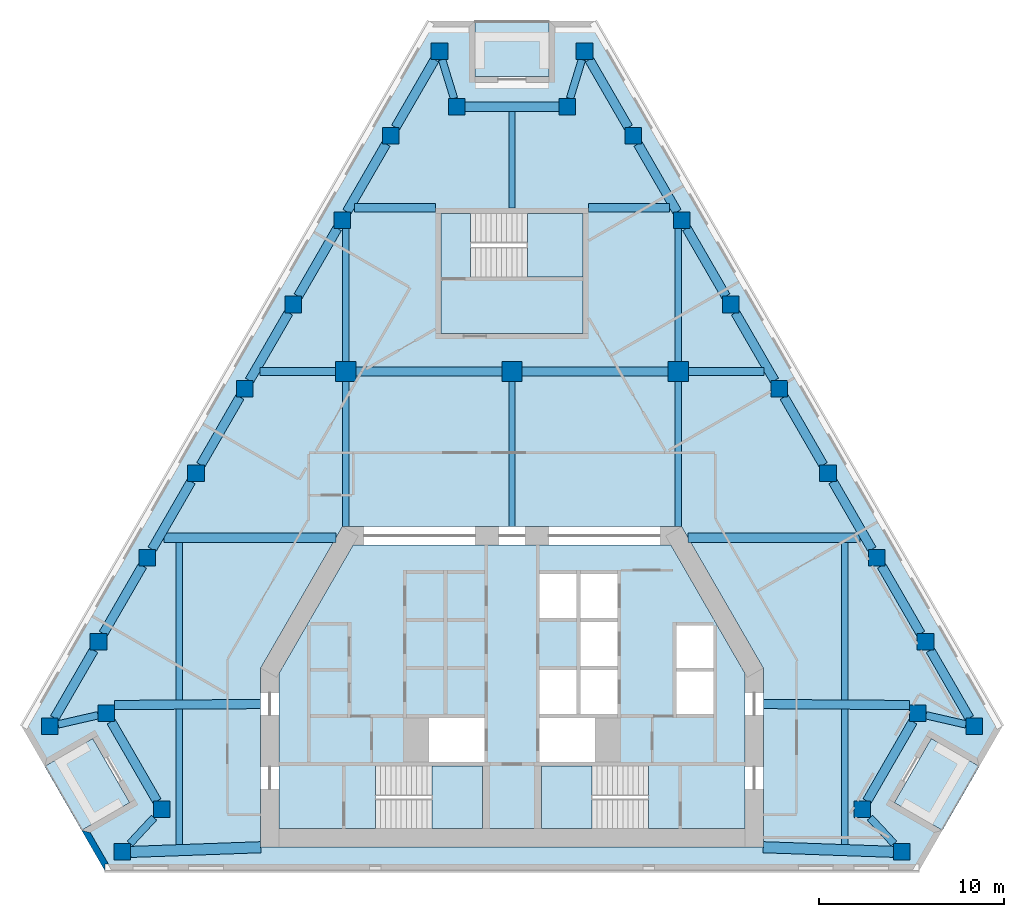
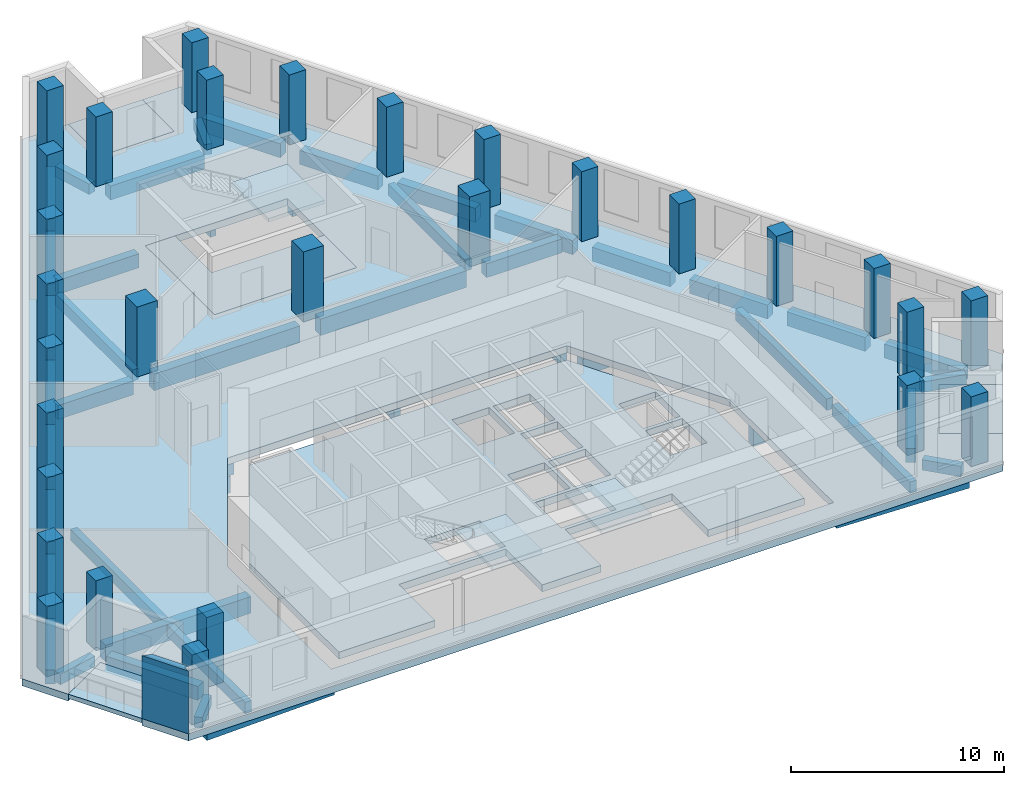
# One storey, part 1 of 8: 47 beams, 29 columns, 9 slabs, 1 wall, 3 elements without a shape of their own.
"""IFC4 building model written with IfcOpenShell, lengths in metres."""

from ifc_helpers import new_model, si_unit, direction, frame, origin, origin_2d, place, context, subcontext, project, spatial, polyline, rectangle, outline, extrude, material, layer, layer_set, material_profile, profile_set, type_object, element, aggregate, save


model = new_model("IFC4")

# Units and contexts
model_context = context("Model", 3, precision=1e-05, world=origin(), true_north=direction((0.0, 1.0)))
body_context = subcontext(model_context, "Body", "Model", "MODEL_VIEW")
ifc_project = project(units=[si_unit("LENGTHUNIT", "METRE"), si_unit("AREAUNIT", "SQUARE_METRE"), si_unit("VOLUMEUNIT", "CUBIC_METRE"), si_unit("PLANEANGLEUNIT", "RADIAN"), si_unit("MASSUNIT", "GRAM", prefix="KILO")], contexts=[model_context])

# Site, building, storey
site_placement = place(None, origin())
site = spatial("IfcSite", under=ifc_project, at=site_placement, CompositionType="ELEMENT")
building_placement = place(site_placement, origin())
building = spatial("IfcBuilding", under=site, at=building_placement, Name="Fogline Exchange Tower", CompositionType="ELEMENT")
storey_placement = place(building_placement, frame((0.0, 0.0, 243.5)))
storey = spatial("IfcBuildingStorey", under=building, at=storey_placement, Name="L55", CompositionType="ELEMENT", Elevation=243.5)

# Columns
ifc_material_1 = material(Name="Concrete C60", Category="concrete")
ifc_material_profile_1 = material_profile(ifc_material_1, rectangle(XDim=1.10009765625, YDim=1.10009765625, at=origin_2d()), Name="RC 1100x1100")
ifc_profile_set_1 = profile_set([ifc_material_profile_1], Name="Concrete C60")
column_type_1 = type_object("IfcColumnType", Name="C05", PredefinedType="COLUMN", material=ifc_profile_set_1)
for number, where, z_axis, x_axis, name in (
    (1, (-9.0, 27.0, 0.0), (0.0, 0.0, 1.0), (1.0, 0.0, 0.0), "IC--9-27"),
    (2, (0.0, 27.0, 0.0), (0.0, 0.0, 1.0), (1.0, 0.0, 0.0), "IC-0-27"),
    (3, (9.0, 27.0, 0.0), (0.0, 0.0, 1.0), (1.0, 0.0, 0.0), "IC-9-27"),
):
    element("IfcColumn", number, at=place(storey_placement, frame(where, z_axis=z_axis, x_axis=x_axis)), inside=storey, type_object=column_type_1, Name=name, PredefinedType="COLUMN", context=body_context, shape_type="SweptSolid", body=[
        extrude(rectangle(XDim=1.10009765625, YDim=1.10009765625, at=origin_2d()), origin(), (0.0, 0.0, 1.0), 4.0),
    ])
ifc_material_profile_2 = material_profile(ifc_material_1, rectangle(XDim=0.89990234375, YDim=0.89990234375, at=origin_2d()), Name="RC 900x900")
ifc_profile_set_2 = profile_set([ifc_material_profile_2], Name="Concrete C60")
column_type_2 = type_object("IfcColumnType", Name="C06", PredefinedType="COLUMN", material=ifc_profile_set_2)
for number, where, z_axis, x_axis, name in (
    (4, (-25.0146484375, 7.794189453125, 0.0), (0.0, 0.0, 1.0), (1.0, 0.0, 0.0), "SW-a"),
    (5, (-21.955322265625, 8.4951171875, 0.0), (0.0, 0.0, 1.0), (1.0, 0.0, 0.0), "SW-p4"),
    (6, (-18.955322265625, 3.299072265625, 0.0), (0.0, 0.0, 1.0), (1.0, 0.0, 0.0), "SW-p3"),
    (7, (-21.092041015625, 1.0, 0.0), (0.0, 0.0, 1.0), (1.0, 0.0, 0.0), "SW-b"),
    (8, (21.092041015625, 1.0, 0.0), (0.0, 0.0, 1.0), (1.0, 0.0, 0.0), "SE-a"),
    (9, (18.955322265625, 3.299072265625, 0.0), (0.0, 0.0, 1.0), (1.0, 0.0, 0.0), "SE-p4"),
    (10, (21.955322265625, 8.4951171875, 0.0), (0.0, 0.0, 1.0), (1.0, 0.0, 0.0), "SE-p3"),
    (11, (25.0146484375, 7.794189453125, 0.0), (0.0, 0.0, 1.0), (1.0, 0.0, 0.0), "SE-b"),
    (12, (22.378173828125, 12.36083984375, 0.0), (0.0, 0.0, 1.0), (1.0, 0.0, 0.0), "E1"),
    (13, (19.74169921875, 16.92724609375, 0.0), (0.0, 0.0, 1.0), (1.0, 0.0, 0.0), "E2"),
    (14, (17.105224609375, 21.493896484375, 0.0), (0.0, 0.0, 1.0), (1.0, 0.0, 0.0), "E3"),
    (15, (14.46875, 26.060302734375, 0.0), (0.0, 0.0, 1.0), (1.0, 0.0, 0.0), "E4"),
    (16, (11.832275390625, 30.626953125, 0.0), (0.0, 0.0, 1.0), (1.0, 0.0, 0.0), "E5"),
    (17, (9.19580078125, 35.193603515625, 0.0), (0.0, 0.0, 1.0), (1.0, 0.0, 0.0), "E6"),
    (18, (6.55908203125, 39.760009765625, 0.0), (0.0, 0.0, 1.0), (1.0, 0.0, 0.0), "E7"),
    (19, (3.922607421875, 44.32666015625, 0.0), (0.0, 0.0, 1.0), (1.0, 0.0, 0.0), "N-a"),
    (20, (3.0, 41.32666015625, 0.0), (0.0, 0.0, 1.0), (1.0, 0.0, 0.0), "N-p4"),
    (21, (-3.0, 41.32666015625, 0.0), (0.0, 0.0, 1.0), (1.0, 0.0, 0.0), "N-p3"),
    (22, (-3.922607421875, 44.32666015625, 0.0), (0.0, 0.0, 1.0), (1.0, 0.0, 0.0), "N-b"),
    (23, (-6.55908203125, 39.760009765625, 0.0), (0.0, 0.0, 1.0), (1.0, 0.0, 0.0), "W1"),
    (24, (-9.19580078125, 35.193603515625, 0.0), (0.0, 0.0, 1.0), (1.0, 0.0, 0.0), "W2"),
    (25, (-11.832275390625, 30.626953125, 0.0), (0.0, 0.0, 1.0), (1.0, 0.0, 0.0), "W3"),
    (26, (-14.46875, 26.060302734375, 0.0), (0.0, 0.0, 1.0), (1.0, 0.0, 0.0), "W4"),
    (27, (-17.105224609375, 21.493896484375, 0.0), (0.0, 0.0, 1.0), (1.0, 0.0, 0.0), "W5"),
    (28, (-19.74169921875, 16.92724609375, 0.0), (0.0, 0.0, 1.0), (1.0, 0.0, 0.0), "W6"),
    (29, (-22.378173828125, 12.36083984375, 0.0), (0.0, 0.0, 1.0), (1.0, 0.0, 0.0), "W7"),
):
    element("IfcColumn", number, at=place(storey_placement, frame(where, z_axis=z_axis, x_axis=x_axis)), inside=storey, type_object=column_type_2, Name=name, PredefinedType="COLUMN", context=body_context, shape_type="SweptSolid", body=[
        extrude(rectangle(XDim=0.89990234375, YDim=0.89990234375, at=origin_2d()), origin(), (0.0, 0.0, 1.0), 4.0),
    ])

# Beams
ifc_material_2 = material(Name="Concrete C40", Category="concrete")
ifc_material_profile_3 = material_profile(ifc_material_2, rectangle(XDim=0.300048828125, YDim=0.60009765625, at=origin_2d()), Name="RC 300x600")
ifc_profile_set_3 = profile_set([ifc_material_profile_3], Name="Concrete C40")
beam_type_1 = type_object("IfcBeamType", Name="B06", PredefinedType="BEAM", material=ifc_profile_set_3)
beam_1_placement = place(storey_placement, frame((0.0, 35.85693359375, -0.699951171875), z_axis=(0.0, 1.0, 0.0), x_axis=(-1.0, 0.0, 0.0)))
element("IfcBeam", 30, at=beam_1_placement, inside=storey, type_object=beam_type_1, Name="SB006", PredefinedType="BEAM", context=body_context, shape_type="SweptSolid", body=[
    extrude(rectangle(XDim=0.300048828125, YDim=0.60009765625, at=origin_2d()), origin(), (0.0, 0.0, 1.0), 5.2197265625),
])
ifc_material_profile_4 = material_profile(ifc_material_2, rectangle(XDim=0.60009765625, YDim=0.89990234375, at=origin_2d()), Name="RC 600x900")
ifc_profile_set_4 = profile_set([ifc_material_profile_4], Name="Concrete C40")
beam_type_2 = type_object("IfcBeamType", Name="B09", PredefinedType="BEAM", material=ifc_profile_set_4)
beam_2_placement = place(storey_placement, frame((-20.64208984375, 0.99462890625, -0.85009765625), z_axis=(0.999343107492, 0.036240219472, 0.0), x_axis=(-0.036240219472, 0.999343107492, 0.0)))
element("IfcBeam", 31, at=beam_2_placement, inside=storey, type_object=beam_type_2, Name="RB004", PredefinedType="BEAM", context=body_context, shape_type="SweptSolid", body=[
    extrude(rectangle(XDim=0.60009765625, YDim=0.89990234375, at=origin_2d()), origin(), (0.0, 0.0, 1.0), 7.046630859375),
])
beam_3_placement = place(storey_placement, frame((13.60009765625, 1.25, -0.85009765625), z_axis=(0.99937042328, -0.035478966629, 0.0), x_axis=(0.035478966629, 0.99937042328, 0.0)))
element("IfcBeam", 32, at=beam_3_placement, inside=storey, type_object=beam_type_2, Name="RB005", PredefinedType="BEAM", context=body_context, shape_type="SweptSolid", body=[
    extrude(rectangle(XDim=0.60009765625, YDim=0.89990234375, at=origin_2d()), origin(), (0.0, 0.0, 1.0), 7.04638671875),
])
ifc_material_profile_5 = material_profile(ifc_material_2, rectangle(XDim=0.5, YDim=0.800048828125, at=origin_2d()), Name="RC 500x800")
ifc_profile_set_5 = profile_set([ifc_material_profile_5], Name="Concrete C40")
beam_type_3 = type_object("IfcBeamType", Name="B10", PredefinedType="BEAM", material=ifc_profile_set_5)
for number, where, z_axis, x_axis, name in (
    (33, (-21.6953125, 8.045166015625, -0.800048828125), (0.499976646485, -0.866038886523, 0.0), (0.866038886523, 0.499976646485, 0.0), "RB002"),
    (34, (19.215087890625, 3.7490234375, -0.800048828125), (0.499976646485, 0.866038886523, 0.0), (-0.866038886523, 0.499976646485, 0.0), "RB007"),
):
    element("IfcBeam", number, at=place(storey_placement, frame(where, z_axis=z_axis, x_axis=x_axis)), inside=storey, type_object=beam_type_3, Name=name, PredefinedType="BEAM", context=body_context, shape_type="SweptSolid", body=[
        extrude(rectangle(XDim=0.5, YDim=0.800048828125, at=origin_2d()), origin(), (0.0, 0.0, 1.0), 4.960693359375),
    ])
beam_4_placement = place(storey_placement, frame((24.7548828125, 8.244140625, -0.800048828125), z_axis=(-0.499990325971, 0.866030989016, 0.0), x_axis=(-0.866030989016, -0.499990325971, 0.0)))
element("IfcBeam", 35, at=beam_4_placement, inside=storey, type_object=beam_type_3, Name="RB009", PredefinedType="BEAM", context=body_context, shape_type="SweptSolid", body=[
    extrude(rectangle(XDim=0.5, YDim=0.800048828125, at=origin_2d()), origin(), (0.0, 0.0, 1.0), 4.23388671875),
])
beam_5_placement = place(storey_placement, frame((22.118408203125, 12.810791015625, -0.800048828125), z_axis=(-0.500015295222, 0.866016572904, 0.0), x_axis=(-0.866016572904, -0.500015295222, 0.0)))
element("IfcBeam", 36, at=beam_5_placement, inside=storey, type_object=beam_type_3, Name="RB010", PredefinedType="BEAM", context=body_context, shape_type="SweptSolid", body=[
    extrude(rectangle(XDim=0.5, YDim=0.800048828125, at=origin_2d()), origin(), (0.0, 0.0, 1.0), 4.233642578125),
])
beam_6_placement = place(storey_placement, frame((19.481689453125, 17.377197265625, -0.800048828125), z_axis=(-0.499947076772, 0.866055956868, 0.0), x_axis=(-0.866055956868, -0.499947076772, 0.0)))
element("IfcBeam", 37, at=beam_6_placement, inside=storey, type_object=beam_type_3, Name="RB011", PredefinedType="BEAM", context=body_context, shape_type="SweptSolid", body=[
    extrude(rectangle(XDim=0.5, YDim=0.800048828125, at=origin_2d()), origin(), (0.0, 0.0, 1.0), 4.23388671875),
])
for number, where, z_axis, x_axis, name in (
    (38, (16.84521484375, 21.94384765625, -0.800048828125), (-0.499972045304, 0.866041542834, 0.0), (-0.866041542834, -0.499972045304, 0.0), "RB012"),
    (39, (14.208740234375, 26.510498046875, -0.800048828125), (-0.499972045304, 0.866041542834, 0.0), (-0.866041542834, -0.499972045304, 0.0), "RB013"),
    (40, (11.572265625, 31.076904296875, -0.800048828125), (-0.499972045304, 0.866041542834, 0.0), (-0.866041542834, -0.499972045304, 0.0), "RB014"),
    (41, (8.935791015625, 35.6435546875, -0.800048828125), (-0.499972045304, 0.866041542834, 0.0), (-0.866041542834, -0.499972045304, 0.0), "RB015"),
    (42, (6.29931640625, 40.210205078125, -0.800048828125), (-0.499972045304, 0.866041542834, 0.0), (-0.866041542834, -0.499972045304, 0.0), "RB016"),
):
    element("IfcBeam", number, at=place(storey_placement, frame(where, z_axis=z_axis, x_axis=x_axis)), inside=storey, type_object=beam_type_3, Name=name, PredefinedType="BEAM", context=body_context, shape_type="SweptSolid", body=[
        extrude(rectangle(XDim=0.5, YDim=0.800048828125, at=origin_2d()), origin(), (0.0, 0.0, 1.0), 4.233642578125),
    ])
beam_7_placement = place(storey_placement, frame((2.550048828125, 41.32666015625, -0.800048828125), z_axis=(-1.0, 0.0, 0.0), x_axis=(0.0, -1.0, 0.0)))
element("IfcBeam", 43, at=beam_7_placement, inside=storey, type_object=beam_type_3, Name="RB018", PredefinedType="BEAM", context=body_context, shape_type="SweptSolid", body=[
    extrude(rectangle(XDim=0.5, YDim=0.800048828125, at=origin_2d()), origin(), (0.0, 0.0, 1.0), 5.10009765625),
])
for number, where, z_axis, x_axis, name in (
    (44, (-4.1826171875, 43.876708984375, -0.800048828125), (-0.499972045304, -0.866041542834, 0.0), (0.866041542834, -0.499972045304, 0.0), "RB020"),
    (45, (-6.819091796875, 39.31005859375, -0.800048828125), (-0.499972045304, -0.866041542834, 0.0), (0.866041542834, -0.499972045304, 0.0), "RB021"),
    (46, (-9.45556640625, 34.743408203125, -0.800048828125), (-0.499972045304, -0.866041542834, 0.0), (0.866041542834, -0.499972045304, 0.0), "RB022"),
    (47, (-12.092041015625, 30.177001953125, -0.800048828125), (-0.499972045304, -0.866041542834, 0.0), (0.866041542834, -0.499972045304, 0.0), "RB023"),
    (48, (-14.728515625, 25.6103515625, -0.800048828125), (-0.499972045304, -0.866041542834, 0.0), (0.866041542834, -0.499972045304, 0.0), "RB024"),
):
    element("IfcBeam", number, at=place(storey_placement, frame(where, z_axis=z_axis, x_axis=x_axis)), inside=storey, type_object=beam_type_3, Name=name, PredefinedType="BEAM", context=body_context, shape_type="SweptSolid", body=[
        extrude(rectangle(XDim=0.5, YDim=0.800048828125, at=origin_2d()), origin(), (0.0, 0.0, 1.0), 4.233642578125),
    ])
beam_8_placement = place(storey_placement, frame((-17.364990234375, 21.0439453125, -0.800048828125), z_axis=(-0.499947076772, -0.866055956868, 0.0), x_axis=(0.866055956868, -0.499947076772, 0.0)))
element("IfcBeam", 49, at=beam_8_placement, inside=storey, type_object=beam_type_3, Name="RB025", PredefinedType="BEAM", context=body_context, shape_type="SweptSolid", body=[
    extrude(rectangle(XDim=0.5, YDim=0.800048828125, at=origin_2d()), origin(), (0.0, 0.0, 1.0), 4.23388671875),
])
beam_9_placement = place(storey_placement, frame((-20.00146484375, 16.477294921875, -0.800048828125), z_axis=(-0.500015295222, -0.866016572904, 0.0), x_axis=(0.866016572904, -0.500015295222, 0.0)))
element("IfcBeam", 50, at=beam_9_placement, inside=storey, type_object=beam_type_3, Name="RB026", PredefinedType="BEAM", context=body_context, shape_type="SweptSolid", body=[
    extrude(rectangle(XDim=0.5, YDim=0.800048828125, at=origin_2d()), origin(), (0.0, 0.0, 1.0), 4.233642578125),
])
beam_10_placement = place(storey_placement, frame((-22.637939453125, 11.910888671875, -0.800048828125), z_axis=(-0.499990325971, -0.866030989016, 0.0), x_axis=(0.866030989016, -0.499990325971, 0.0)))
element("IfcBeam", 51, at=beam_10_placement, inside=storey, type_object=beam_type_3, Name="RB027", PredefinedType="BEAM", context=body_context, shape_type="SweptSolid", body=[
    extrude(rectangle(XDim=0.5, YDim=0.800048828125, at=origin_2d()), origin(), (0.0, 0.0, 1.0), 4.23388671875),
])
ifc_material_profile_6 = material_profile(ifc_material_2, rectangle(XDim=0.39990234375, YDim=0.60009765625, at=origin_2d()), Name="RC 400x600")
ifc_profile_set_6 = profile_set([ifc_material_profile_6], Name="Concrete C40")
beam_type_4 = type_object("IfcBeamType", Name="B11", PredefinedType="BEAM", material=ifc_profile_set_6)
beam_11_placement = place(storey_placement, frame((-24.564697265625, 7.897216796875, -0.699951171875), z_axis=(0.974731818643, 0.223378337636, 0.0), x_axis=(-0.223378337636, 0.974731818643, 0.0)))
element("IfcBeam", 52, at=beam_11_placement, inside=storey, type_object=beam_type_4, Name="RB001", PredefinedType="BEAM", context=body_context, shape_type="SweptSolid", body=[
    extrude(rectangle(XDim=0.39990234375, YDim=0.60009765625, at=origin_2d()), origin(), (0.0, 0.0, 1.0), 2.21533203125),
])
for number, where, z_axis, x_axis, name in (
    (53, (-19.37353515625, 2.84912109375, -0.699951171875), (-0.68075009804, -0.732515736362, 0.0), (0.732515736362, -0.68075009804, 0.0), "RB003"),
    (54, (20.673828125, 1.449951171875, -0.699951171875), (-0.68075009804, 0.732515736362, 0.0), (-0.732515736362, -0.68075009804, 0.0), "RB006"),
):
    element("IfcBeam", number, at=place(storey_placement, frame(where, z_axis=z_axis, x_axis=x_axis)), inside=storey, type_object=beam_type_4, Name=name, PredefinedType="BEAM", context=body_context, shape_type="SweptSolid", body=[
        extrude(rectangle(XDim=0.39990234375, YDim=0.60009765625, at=origin_2d()), origin(), (0.0, 0.0, 1.0), 1.91015625),
    ])
beam_12_placement = place(storey_placement, frame((22.4052734375, 8.39208984375, -0.699951171875), z_axis=(0.974731818643, -0.223378337636, 0.0), x_axis=(0.223378337636, 0.974731818643, 0.0)))
element("IfcBeam", 55, at=beam_12_placement, inside=storey, type_object=beam_type_4, Name="RB008", PredefinedType="BEAM", context=body_context, shape_type="SweptSolid", body=[
    extrude(rectangle(XDim=0.39990234375, YDim=0.60009765625, at=origin_2d()), origin(), (0.0, 0.0, 1.0), 2.21533203125),
])
for number, where, z_axis, x_axis, name in (
    (56, (3.7841796875, 43.876708984375, -0.699951171875), (-0.293906253456, -0.95583425037, 0.0), (0.95583425037, -0.293906253456, 0.0), "RB017"),
    (57, (-3.138427734375, 41.776611328125, -0.699951171875), (-0.293906253456, 0.95583425037, 0.0), (-0.95583425037, -0.293906253456, 0.0), "RB019"),
):
    element("IfcBeam", number, at=place(storey_placement, frame(where, z_axis=z_axis, x_axis=x_axis)), inside=storey, type_object=beam_type_4, Name=name, PredefinedType="BEAM", context=body_context, shape_type="SweptSolid", body=[
        extrude(rectangle(XDim=0.39990234375, YDim=0.60009765625, at=origin_2d()), origin(), (0.0, 0.0, 1.0), 2.197021484375),
    ])
ifc_material_profile_7 = material_profile(ifc_material_2, rectangle(XDim=0.5, YDim=0.949951171875, at=origin_2d()), Name="RC 500x950")
ifc_profile_set_7 = profile_set([ifc_material_profile_7], Name="Concrete C40")
beam_type_5 = type_object("IfcBeamType", Name="B14", PredefinedType="BEAM", material=ifc_profile_set_7)
for number, where, z_axis, x_axis, name in (
    (58, (-21.50537109375, 8.9453125, -0.875), (0.999976072531, 0.006917684998, 0.0), (-0.006917684998, 0.999976072531, 0.0), "GB001"),
    (59, (13.60009765625, 9.0, -0.875), (0.999976072531, -0.006917684998, 0.0), (0.006917684998, 0.999976072531, 0.0), "GB002"),
):
    element("IfcBeam", number, at=place(storey_placement, frame(where, z_axis=z_axis, x_axis=x_axis)), inside=storey, type_object=beam_type_5, Name=name, PredefinedType="BEAM", context=body_context, shape_type="SweptSolid", body=[
        extrude(rectangle(XDim=0.5, YDim=0.949951171875, at=origin_2d()), origin(), (0.0, 0.0, 1.0), 7.905517578125),
    ])
for number, where, z_axis, x_axis, name in (
    (60, (-18.833740234375, 18.0, -0.875), (1.0, 0.0, 0.0), (0.0, 1.0, 0.0), "GB003"),
    (61, (9.527099609375, 18.0, -0.875), (1.0, 0.0, 0.0), (0.0, 1.0, 0.0), "GB004"),
):
    element("IfcBeam", number, at=place(storey_placement, frame(where, z_axis=z_axis, x_axis=x_axis)), inside=storey, type_object=beam_type_5, Name=name, PredefinedType="BEAM", context=body_context, shape_type="SweptSolid", body=[
        extrude(rectangle(XDim=0.5, YDim=0.949951171875, at=origin_2d()), origin(), (0.0, 0.0, 1.0), 9.306640625),
    ])
for number, where, z_axis, x_axis, name in (
    (62, (-8.449951171875, 27.0, -0.875), (1.0, 0.0, 0.0), (0.0, 1.0, 0.0), "GB006"),
    (63, (0.550048828125, 27.0, -0.875), (1.0, 0.0, 0.0), (0.0, 1.0, 0.0), "GB007"),
):
    element("IfcBeam", number, at=place(storey_placement, frame(where, z_axis=z_axis, x_axis=x_axis)), inside=storey, type_object=beam_type_5, Name=name, PredefinedType="BEAM", context=body_context, shape_type="SweptSolid", body=[
        extrude(rectangle(XDim=0.5, YDim=0.949951171875, at=origin_2d()), origin(), (0.0, 0.0, 1.0), 7.89990234375),
    ])
ifc_material_profile_8 = material_profile(ifc_material_2, rectangle(XDim=0.35009765625, YDim=0.64990234375, at=origin_2d()), Name="RC 350x650")
ifc_profile_set_8 = profile_set([ifc_material_profile_8], Name="Concrete C40")
beam_type_6 = type_object("IfcBeamType", Name="B16", PredefinedType="BEAM", material=ifc_profile_set_8)
beam_13_placement = place(storey_placement, frame((-18.0, 1.390625, -0.72509765625), z_axis=(0.0, 1.0, 0.0), x_axis=(-1.0, 0.0, 0.0)))
element("IfcBeam", 64, at=beam_13_placement, inside=storey, type_object=beam_type_6, Name="SB001", PredefinedType="BEAM", context=body_context, shape_type="SweptSolid", body=[
    extrude(rectangle(XDim=0.35009765625, YDim=0.64990234375, at=origin_2d()), origin(), (0.0, 0.0, 1.0), 7.328857421875),
])
beam_14_placement = place(storey_placement, frame((-18.0, 9.219482421875, -0.72509765625), z_axis=(0.0, 1.0, 0.0), x_axis=(-1.0, 0.0, 0.0)))
element("IfcBeam", 65, at=beam_14_placement, inside=storey, type_object=beam_type_6, Name="SB002", PredefinedType="BEAM", context=body_context, shape_type="SweptSolid", body=[
    extrude(rectangle(XDim=0.35009765625, YDim=0.64990234375, at=origin_2d()), origin(), (0.0, 0.0, 1.0), 8.530517578125),
])
beam_15_placement = place(storey_placement, frame((-9.0, 18.60009765625, -0.72509765625), z_axis=(0.0, 1.0, 0.0), x_axis=(-1.0, 0.0, 0.0)))
element("IfcBeam", 66, at=beam_15_placement, inside=storey, type_object=beam_type_6, Name="SB003", PredefinedType="BEAM", context=body_context, shape_type="SweptSolid", body=[
    extrude(rectangle(XDim=0.35009765625, YDim=0.64990234375, at=origin_2d()), origin(), (0.0, 0.0, 1.0), 7.849853515625),
])
beam_16_placement = place(storey_placement, frame((-9.0, 27.550048828125, -0.72509765625), z_axis=(0.0, 1.0, 0.0), x_axis=(-1.0, 0.0, 0.0)))
element("IfcBeam", 67, at=beam_16_placement, inside=storey, type_object=beam_type_6, Name="SB004", PredefinedType="BEAM", context=body_context, shape_type="SweptSolid", body=[
    extrude(rectangle(XDim=0.35009765625, YDim=0.64990234375, at=origin_2d()), origin(), (0.0, 0.0, 1.0), 7.193359375),
])
for number, where, z_axis, x_axis, name in (
    (68, (0.0, 18.60009765625, -0.72509765625), (0.0, 1.0, 0.0), (-1.0, 0.0, 0.0), "SB005"),
    (69, (9.0, 18.60009765625, -0.72509765625), (0.0, 1.0, 0.0), (-1.0, 0.0, 0.0), "SB007"),
):
    element("IfcBeam", number, at=place(storey_placement, frame(where, z_axis=z_axis, x_axis=x_axis)), inside=storey, type_object=beam_type_6, Name=name, PredefinedType="BEAM", context=body_context, shape_type="SweptSolid", body=[
        extrude(rectangle(XDim=0.35009765625, YDim=0.64990234375, at=origin_2d()), origin(), (0.0, 0.0, 1.0), 7.849853515625),
    ])
beam_17_placement = place(storey_placement, frame((9.0, 27.550048828125, -0.72509765625), z_axis=(0.0, 1.0, 0.0), x_axis=(-1.0, 0.0, 0.0)))
element("IfcBeam", 70, at=beam_17_placement, inside=storey, type_object=beam_type_6, Name="SB008", PredefinedType="BEAM", context=body_context, shape_type="SweptSolid", body=[
    extrude(rectangle(XDim=0.35009765625, YDim=0.64990234375, at=origin_2d()), origin(), (0.0, 0.0, 1.0), 7.193359375),
])
beam_18_placement = place(storey_placement, frame((18.0, 1.39404296875, -0.72509765625), z_axis=(0.0, 1.0, 0.0), x_axis=(-1.0, 0.0, 0.0)))
element("IfcBeam", 71, at=beam_18_placement, inside=storey, type_object=beam_type_6, Name="SB009", PredefinedType="BEAM", context=body_context, shape_type="SweptSolid", body=[
    extrude(rectangle(XDim=0.35009765625, YDim=0.64990234375, at=origin_2d()), origin(), (0.0, 0.0, 1.0), 7.325439453125),
])
beam_19_placement = place(storey_placement, frame((18.0, 9.219482421875, -0.72509765625), z_axis=(0.0, 1.0, 0.0), x_axis=(-1.0, 0.0, 0.0)))
element("IfcBeam", 72, at=beam_19_placement, inside=storey, type_object=beam_type_6, Name="SB010", PredefinedType="BEAM", context=body_context, shape_type="SweptSolid", body=[
    extrude(rectangle(XDim=0.35009765625, YDim=0.64990234375, at=origin_2d()), origin(), (0.0, 0.0, 1.0), 8.530517578125),
])
ifc_material_profile_9 = material_profile(ifc_material_2, rectangle(XDim=0.449951171875, YDim=0.800048828125, at=origin_2d()), Name="RC 450x800")
ifc_profile_set_9 = profile_set([ifc_material_profile_9], Name="Concrete C40")
beam_type_7 = type_object("IfcBeamType", Name="B18", PredefinedType="BEAM", material=ifc_profile_set_9)
for number, where, z_axis, x_axis, name in (
    (73, (-13.637451171875, 27.0, -0.800048828125), (1.0, 0.0, 0.0), (0.0, 1.0, 0.0), "GB005"),
    (74, (9.550048828125, 27.0, -0.800048828125), (1.0, 0.0, 0.0), (0.0, 1.0, 0.0), "GB008"),
):
    element("IfcBeam", number, at=place(storey_placement, frame(where, z_axis=z_axis, x_axis=x_axis)), inside=storey, type_object=beam_type_7, Name=name, PredefinedType="BEAM", context=body_context, shape_type="SweptSolid", body=[
        extrude(rectangle(XDim=0.449951171875, YDim=0.800048828125, at=origin_2d()), origin(), (0.0, 0.0, 1.0), 4.08740234375),
    ])
for number, where, z_axis, x_axis, name in (
    (75, (-8.52392578125, 35.85693359375, -0.800048828125), (1.0, 0.0, 0.0), (0.0, 1.0, 0.0), "GB009"),
    (76, (4.14990234375, 35.85693359375, -0.800048828125), (1.0, 0.0, 0.0), (0.0, 1.0, 0.0), "GB010"),
):
    element("IfcBeam", number, at=place(storey_placement, frame(where, z_axis=z_axis, x_axis=x_axis)), inside=storey, type_object=beam_type_7, Name=name, PredefinedType="BEAM", context=body_context, shape_type="SweptSolid", body=[
        extrude(rectangle(XDim=0.449951171875, YDim=0.800048828125, at=origin_2d()), origin(), (0.0, 0.0, 1.0), 4.3740234375),
    ])

# Slabs
ifc_layer_1 = layer(ifc_material_2, 0.25)
ifc_layer_set_1 = layer_set([ifc_layer_1], Name="DK1")
slab_type_1 = type_object("IfcSlabType", Name="DK1", PredefinedType="FLOOR", material=ifc_layer_set_1)
slab_1_placement = place(storey_placement, frame((0.0, 0.0, -0.25)))
element("IfcSlab", 77, at=slab_1_placement, inside=storey, type_object=slab_type_1, Name="Balcony L55 SW", PredefinedType="FLOOR", context=body_context, shape_type="SweptSolid", body=[
    extrude(outline(polyline([(-25.291748046875, 5.629150390625), (-23.291748046875, 2.1650390625), (-20.693603515625, 3.6650390625), (-22.693603515625, 7.129150390625), (-25.291748046875, 5.629150390625)])), origin(), (0.0, 0.0, 1.0), 0.25),
])
slab_2_placement = place(storey_placement, frame((0.0, 0.0, -0.25)))
element("IfcSlab", 78, at=slab_2_placement, inside=storey, type_object=slab_type_1, Name="Balcony L55 SE", PredefinedType="FLOOR", context=body_context, shape_type="SweptSolid", body=[
    extrude(outline(polyline([(23.291748046875, 2.1650390625), (25.291748046875, 5.629150390625), (22.693603515625, 7.129150390625), (20.693603515625, 3.6650390625), (23.291748046875, 2.1650390625)])), origin(), (0.0, 0.0, 1.0), 0.25),
])
slab_3_placement = place(storey_placement, frame((0.0, 0.0, -0.25)))
element("IfcSlab", 79, at=slab_3_placement, inside=storey, type_object=slab_type_1, Name="Balcony L55 N", PredefinedType="FLOOR", context=body_context, shape_type="SweptSolid", body=[
    extrude(outline(polyline([(2.0, 45.9716796875), (-2.0, 45.9716796875), (-2.0, 42.9716796875), (2.0, 42.9716796875), (2.0, 45.9716796875)])), origin(), (0.0, 0.0, 1.0), 0.25),
])
ifc_layer_2 = layer(ifc_material_2, 0.39990234375)
ifc_layer_set_2 = layer_set([ifc_layer_2], Name="S03")
slab_type_2 = type_object("IfcSlabType", Name="S03", PredefinedType="FLOOR", material=ifc_layer_set_2)
slab_4_placement = place(storey_placement, frame((0.0, 0.0, -0.39990234375)))
element("IfcSlab", 80, at=slab_4_placement, inside=storey, type_object=slab_type_2, Name="SLAB L55", PredefinedType="FLOOR", context=body_context, shape_type="SweptSolid", body=[
    extrude(outline(polyline([(-2.0, 45.9716796875), (-4.5, 45.9716796875), (-26.541748046875, 7.794189453125), (-25.291748046875, 5.629150390625), (-22.693603515625, 7.129150390625), (-20.693603515625, 3.6650390625), (-23.291748046875, 2.1650390625), (-22.041748046875, 0.0), (22.041748046875, 0.0), (23.291748046875, 2.1650390625), (20.693603515625, 3.6650390625), (22.693603515625, 7.129150390625), (25.291748046875, 5.629150390625), (26.541748046875, 7.794189453125), (4.5, 45.9716796875), (2.0, 45.9716796875), (2.0, 42.9716796875), (-2.0, 42.9716796875), (-2.0, 45.9716796875)]), holes=[polyline([(13.60009765625, 10.9453125), (13.60009765625, 1.25), (-13.60009765625, 1.25), (-13.60009765625, 10.9453125), (-9.1806640625, 18.60009765625), (9.1806640625, 18.60009765625), (13.60009765625, 10.9453125)]), polyline([(3.85009765625, 35.556884765625), (3.85009765625, 29.056884765625), (-3.85009765625, 29.056884765625), (-3.85009765625, 35.556884765625), (3.85009765625, 35.556884765625)])]), origin(), (0.0, 0.0, 1.0), 0.39990234375),
])
slab_5_placement = place(storey_placement, frame((0.0, 0.0, -0.39990234375)))
element("IfcSlab", 81, at=slab_5_placement, inside=storey, type_object=slab_type_2, Name="Core floor slab", PredefinedType="FLOOR", context=body_context, shape_type="SweptSolid", body=[
    extrude(outline(polyline([(-12.60009765625, 2.25), (-12.60009765625, 10.677490234375), (-8.603271484375, 17.60009765625), (8.603271484375, 17.60009765625), (12.60009765625, 10.677490234375), (12.60009765625, 2.25), (7.389892578125, 2.25), (7.389892578125, 5.64990234375), (1.60009765625, 5.64990234375), (1.60009765625, 2.25), (-1.60009765625, 2.25), (-1.60009765625, 5.64990234375), (-7.389892578125, 5.64990234375), (-7.389892578125, 2.25), (-12.60009765625, 2.25)]), holes=[polyline([(-4.5, 8.25), (-4.5, 5.85009765625), (-1.5, 5.85009765625), (-1.5, 8.25), (-4.5, 8.25)]), polyline([(4.5, 8.25), (1.5, 8.25), (1.5, 5.85009765625), (4.5, 5.85009765625), (4.5, 8.25)]), polyline([(3.5, 10.85009765625), (1.5, 10.85009765625), (1.5, 8.449951171875), (3.5, 8.449951171875), (3.5, 10.85009765625)]), polyline([(1.5, 16.050048828125), (1.5, 13.64990234375), (3.5, 13.64990234375), (3.5, 16.050048828125), (1.5, 16.050048828125)]), polyline([(10.89990234375, 10.75), (8.89990234375, 10.75), (8.89990234375, 8.449951171875), (10.89990234375, 8.449951171875), (10.89990234375, 10.75)]), polyline([(5.699951171875, 10.85009765625), (3.699951171875, 10.85009765625), (3.699951171875, 8.449951171875), (5.699951171875, 8.449951171875), (5.699951171875, 10.85009765625)]), polyline([(8.89990234375, 13.25), (8.89990234375, 10.949951171875), (10.89990234375, 10.949951171875), (10.89990234375, 13.25), (8.89990234375, 13.25)]), polyline([(5.699951171875, 13.449951171875), (3.699951171875, 13.449951171875), (3.699951171875, 11.050048828125), (5.699951171875, 11.050048828125), (5.699951171875, 13.449951171875)]), polyline([(5.699951171875, 16.050048828125), (3.699951171875, 16.050048828125), (3.699951171875, 13.64990234375), (5.699951171875, 13.64990234375), (5.699951171875, 16.050048828125)])]), origin(), (0.0, 0.0, 1.0), 0.39990234375),
])
slab_6_placement = place(storey_placement, frame((0.0, 0.0, -0.39990234375)))
element("IfcSlab", 82, at=slab_6_placement, inside=storey, type_object=slab_type_2, Name="Stair enclosure floor slab", PredefinedType="FLOOR", context=body_context, shape_type="SweptSolid", body=[
    extrude(outline(polyline([(3.85009765625, 29.056884765625), (-3.85009765625, 29.056884765625), (-3.85009765625, 35.556884765625), (-2.239990234375, 35.556884765625), (-2.239990234375, 32.10693359375), (3.85009765625, 32.10693359375), (3.85009765625, 29.056884765625)])), origin(), (0.0, 0.0, 1.0), 0.39990234375),
])

# Stair, slab
stair_type = type_object("IfcStairType", Name="STR24-1667", PredefinedType="HALF_TURN_STAIR", material=ifc_material_2)
stair_1_placement = place(storey_placement, origin())
stair_1 = element("IfcStair", 83, at=stair_1_placement, inside=storey, type_object=stair_type, Name="Stair ST1", PredefinedType="HALF_TURN_STAIR")
ifc_layer_3 = layer(ifc_material_2, 0.199951171875)
ifc_layer_set_3 = layer_set([ifc_layer_3], Name="SL200")
slab_type_3 = type_object("IfcSlabType", Name="SL200", PredefinedType="LANDING", material=ifc_layer_set_3)
slab_7_placement = place(storey_placement, frame((0.0, 0.0, 1.800048828125)))
slab_7 = element("IfcSlab", 84, at=slab_7_placement, type_object=slab_type_3, Name="ST1 landing 1", PredefinedType="LANDING", context=body_context, shape_type="SweptSolid", body=[
    extrude(outline(polyline([(-4.320068359375, 2.25), (-1.60009765625, 2.25), (-1.60009765625, 5.64990234375), (-4.320068359375, 5.64990234375), (-4.320068359375, 2.25)])), origin(), (0.0, 0.0, 1.0), 0.199951171875),
])
aggregate(stair_1, [slab_7])

stair_2_placement = place(storey_placement, origin())
stair_2 = element("IfcStair", 85, at=stair_2_placement, inside=storey, type_object=stair_type, Name="Stair ST2", PredefinedType="HALF_TURN_STAIR")
slab_8_placement = place(storey_placement, frame((0.0, 0.0, 1.800048828125)))
slab_8 = element("IfcSlab", 86, at=slab_8_placement, type_object=slab_type_3, Name="ST2 landing 1", PredefinedType="LANDING", context=body_context, shape_type="SweptSolid", body=[
    extrude(outline(polyline([(1.60009765625, 2.25), (4.320068359375, 2.25), (4.320068359375, 5.64990234375), (1.60009765625, 5.64990234375), (1.60009765625, 2.25)])), origin(), (0.0, 0.0, 1.0), 0.199951171875),
])
aggregate(stair_2, [slab_8])

stair_3_placement = place(storey_placement, origin())
stair_3 = element("IfcStair", 87, at=stair_3_placement, inside=storey, type_object=stair_type, Name="Stair ST3", PredefinedType="HALF_TURN_STAIR")
slab_9_placement = place(storey_placement, frame((0.0, 0.0, 1.800048828125)))
slab_9 = element("IfcSlab", 88, at=slab_9_placement, type_object=slab_type_3, Name="ST3 landing 1", PredefinedType="LANDING", context=body_context, shape_type="SweptSolid", body=[
    extrude(outline(polyline([(0.830078125, 32.10693359375), (3.85009765625, 32.10693359375), (3.85009765625, 35.556884765625), (0.830078125, 35.556884765625), (0.830078125, 32.10693359375)])), origin(), (0.0, 0.0, 1.0), 0.199951171875),
])
aggregate(stair_3, [slab_9])

# Wall
ifc_material_3 = material(Name="Brick masonry", Category="masonry")
ifc_layer_4 = layer(ifc_material_3, 0.340087890625)
ifc_layer_set_4 = layer_set([ifc_layer_4], Name="FW1")
wall_type = type_object("IfcWallType", Name="FW1", PredefinedType="SOLIDWALL", material=ifc_layer_set_4)
wall_placement = place(storey_placement, origin())
element("IfcWall", 89, at=wall_placement, inside=storey, type_object=wall_type, Name="Brick wall L55 SW-c2", PredefinedType="SOLIDWALL", context=body_context, shape_type="SweptSolid", body=[
    extrude(outline(polyline([(-21.844482421875, 0.33935546875), (-22.041259765625, 0.33935546875), (-22.041259765625, -0.0009765625), (-22.041748046875, -0.001220703125), (-23.292724609375, 2.165771484375), (-23.29248046875, 2.166015625), (-22.826904296875, 2.041015625), (-21.844482421875, 0.33935546875)])), origin(), (0.0, 0.0, 1.0), 3.60009765625),
])

save(model, "model.ifc")
